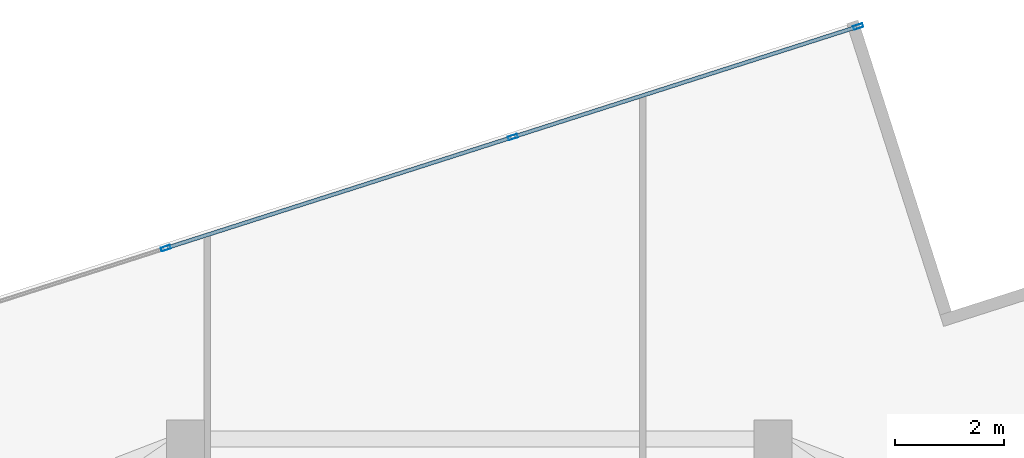
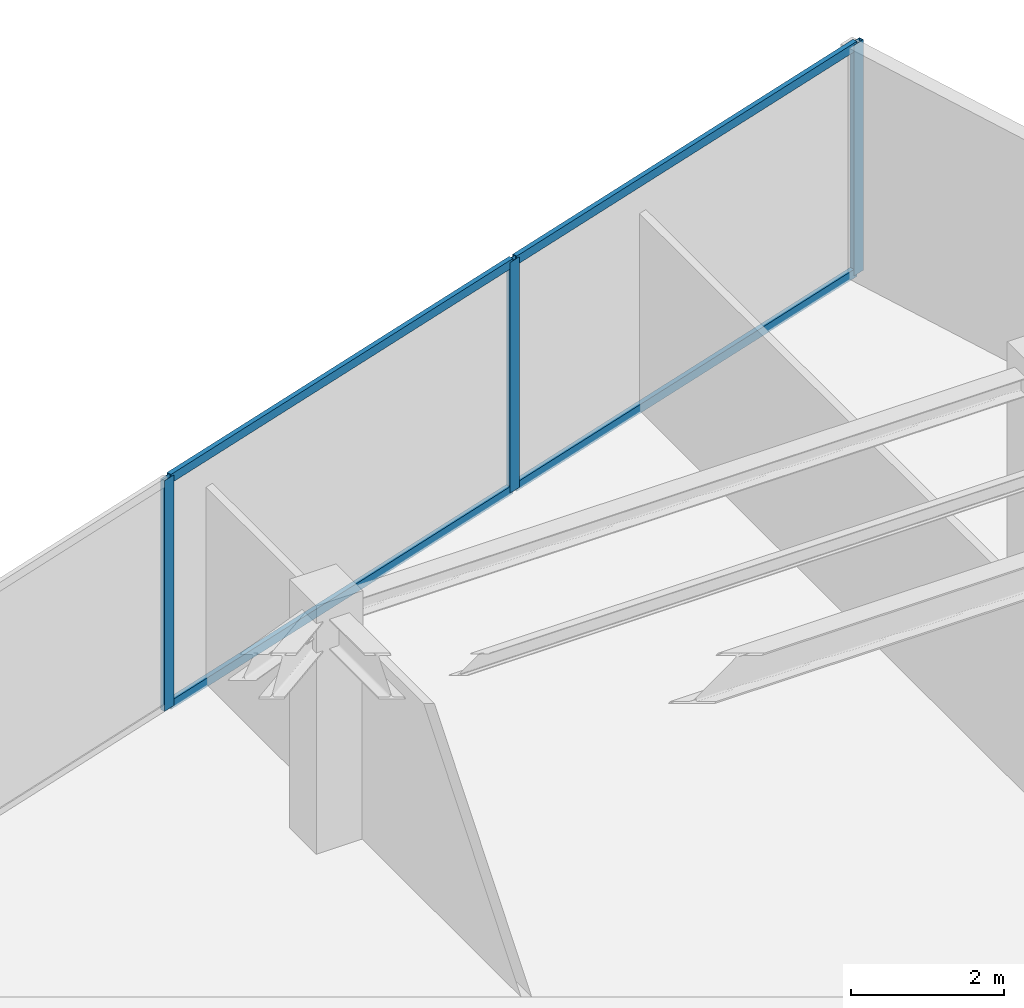
# One storey, part 15 of 21: 7 members, 1 element without a shape of its own.
"""IFC4 building model written with IfcOpenShell, lengths in metres."""

from ifc_helpers import new_model, si_unit, direction, frame, origin, origin_2d, place, context, subcontext, project, spatial, hollow_rectangle, extrude, source, transform, mapped, material, material_profile, profile_set, type_object, type_shapes, element, aggregate, save


model = new_model("IFC4")

# Units and contexts
model_context = context("Model", 3, precision=1e-05, world=origin(), true_north=direction((0.0, 1.0)))
body_context = subcontext(model_context, "Body", "Model", "MODEL_VIEW")
ifc_project = project(units=[si_unit("LENGTHUNIT", "METRE"), si_unit("AREAUNIT", "SQUARE_METRE"), si_unit("VOLUMEUNIT", "CUBIC_METRE"), si_unit("PLANEANGLEUNIT", "RADIAN"), si_unit("MASSUNIT", "GRAM", prefix="KILO")], contexts=[model_context])

# Site, building, storey
site_placement = place(None, origin())
site = spatial("IfcSite", under=ifc_project, at=site_placement, CompositionType="ELEMENT")
building_placement = place(site_placement, origin())
building = spatial("IfcBuilding", under=site, at=building_placement, Name="Krantzveldt Concourse Tower", CompositionType="ELEMENT")
storey_placement = place(building_placement, frame((0.0, 0.0, 339.550048828125)))
storey = spatial("IfcBuildingStorey", under=building, at=storey_placement, Name="L83", CompositionType="ELEMENT", Elevation=339.550048828125)

# Curtain wall, members
ifc_material = material(Name="Anodised aluminium 6063-T6", Category="aluminium")
curtain_wall_type = type_object("IfcCurtainWallType", Name="CW4", PredefinedType="USERDEFINED", material=ifc_material)
curtain_wall_placement = place(storey_placement, origin())
curtain_wall = element("IfcCurtainWall", 1, at=curtain_wall_placement, inside=storey, type_object=curtain_wall_type, Name="CW-L83-F01", ObjectType="UNITISED CURTAIN WALL", PredefinedType="USERDEFINED")
ifc_material_profile_1 = material_profile(ifc_material, hollow_rectangle(XDim=0.070068359375, YDim=0.179931640625, WallThickness=0.0048828125, at=origin_2d()), Name="Anodised aluminium 6063-T6", Category="aluminium")
ifc_profile_set_1 = profile_set([ifc_material_profile_1], Name="Anodised aluminium 6063-T6 - ALU-MULL 180x70x5")
member_type_1 = type_object("IfcMemberType", Name="CW-MUL-180", PredefinedType="MULLION", material=ifc_profile_set_1)
shared_shape_1 = source(origin(), body_context, "Body", "SweptSolid", [
    extrude(hollow_rectangle(XDim=0.070068359375, YDim=0.179931640625, WallThickness=0.0048828125, at=origin_2d()), origin(), (0.0, 0.0, 1.0), 3.669921875),
])
type_shapes(member_type_1, [shared_shape_1])
member_1_placement = place(storey_placement, frame((42.9638671875, 48.784423828125, 0.0), z_axis=(0.0, 0.0, 1.0), x_axis=(0.304864162408, -0.952395843376, 0.0)))
member_1 = element("IfcMember", 2, at=member_1_placement, type_object=member_type_1, Name="CW-Z56 mullion 1", PredefinedType="MULLION", context=body_context, shape_type="MappedRepresentation", body=[
    mapped(shared_shape_1, transform((0.0, 0.0, 0.0), x_axis=(1.0, 0.0, 0.0), y_axis=(0.0, 1.0, 0.0), z_axis=(0.0, 0.0, 1.0), scale=1.0)),
])
member_2_placement = place(storey_placement, frame((36.615966796875, 46.75244140625, 0.0), z_axis=(0.0, 0.0, 1.0), x_axis=(0.304864162408, -0.952395843376, 0.0)))
member_2 = element("IfcMember", 3, at=member_2_placement, type_object=member_type_1, Name="CW-Z56 mullion 2", PredefinedType="MULLION", context=body_context, shape_type="MappedRepresentation", body=[
    mapped(shared_shape_1, transform((0.0, 0.0, 0.0), x_axis=(1.0, 0.0, 0.0), y_axis=(0.0, 1.0, 0.0), z_axis=(0.0, 0.0, 1.0), scale=1.0)),
])
member_3_placement = place(storey_placement, frame((30.235107421875, 44.709716796875, 0.0), z_axis=(0.0, 0.0, 1.0), x_axis=(0.304864162408, -0.952395843376, 0.0)))
member_3 = element("IfcMember", 4, at=member_3_placement, type_object=member_type_1, Name="CW-Z56 mullion 3", PredefinedType="MULLION", context=body_context, shape_type="MappedRepresentation", body=[
    mapped(shared_shape_1, transform((0.0, 0.0, 0.0), x_axis=(1.0, 0.0, 0.0), y_axis=(0.0, 1.0, 0.0), z_axis=(0.0, 0.0, 1.0), scale=1.0)),
])
ifc_material_profile_2 = material_profile(ifc_material, hollow_rectangle(XDim=0.070068359375, YDim=0.139892578125, WallThickness=0.0048828125, at=origin_2d()), Name="Anodised aluminium 6063-T6", Category="aluminium")
ifc_profile_set_2 = profile_set([ifc_material_profile_2], Name="Anodised aluminium 6063-T6 - ALU-TRAN 140x70x5")
member_type_2 = type_object("IfcMemberType", Name="CW-TRN-150", PredefinedType="USERDEFINED", material=ifc_profile_set_2)
shared_shape_2 = source(origin(), body_context, "Body", "SweptSolid", [
    extrude(hollow_rectangle(XDim=0.070068359375, YDim=0.139892578125, WallThickness=0.0048828125, at=origin_2d()), origin(), (0.0, 0.0, 1.0), 6.594970703125),
])
member_4_placement = place(storey_placement, frame((42.930419921875, 48.773681640625, 0.034912109375), z_axis=(-0.952388034894, -0.304888555035, 0.0), x_axis=(0.304888555035, -0.952388034894, 0.0)))
member_4 = element("IfcMember", 5, at=member_4_placement, type_object=member_type_2, Name="CW-Z56 transom 1.1", ObjectType="TRANSOM", PredefinedType="USERDEFINED", context=body_context, shape_type="MappedRepresentation", body=[
    mapped(shared_shape_2, transform((0.0, 0.0, 0.0), x_axis=(1.0, 0.0, 0.0), y_axis=(0.0, 1.0, 0.0), z_axis=(0.0, 0.0, 1.0), scale=1.0)),
])
member_5_placement = place(storey_placement, frame((42.930419921875, 48.773681640625, 3.635009765625), z_axis=(-0.952388034894, -0.304888555035, 0.0), x_axis=(0.304888555035, -0.952388034894, 0.0)))
member_5 = element("IfcMember", 6, at=member_5_placement, type_object=member_type_2, Name="CW-Z56 transom 1.2", ObjectType="TRANSOM", PredefinedType="USERDEFINED", context=body_context, shape_type="MappedRepresentation", body=[
    mapped(shared_shape_2, transform((0.0, 0.0, 0.0), x_axis=(1.0, 0.0, 0.0), y_axis=(0.0, 1.0, 0.0), z_axis=(0.0, 0.0, 1.0), scale=1.0)),
])
shared_shape_3 = source(origin(), body_context, "Body", "SweptSolid", [
    extrude(hollow_rectangle(XDim=0.070068359375, YDim=0.139892578125, WallThickness=0.0048828125, at=origin_2d()), origin(), (0.0, 0.0, 1.0), 6.630126953125),
])
type_shapes(member_type_2, [shared_shape_2, shared_shape_3])
member_6_placement = place(storey_placement, frame((36.582763671875, 46.74169921875, 0.034912109375), z_axis=(-0.95239720744, -0.304859901036, 0.0), x_axis=(0.304859901036, -0.95239720744, 0.0)))
member_6 = element("IfcMember", 7, at=member_6_placement, type_object=member_type_2, Name="CW-Z56 transom 2.1", ObjectType="TRANSOM", PredefinedType="USERDEFINED", context=body_context, shape_type="MappedRepresentation", body=[
    mapped(shared_shape_3, transform((0.0, 0.0, 0.0), x_axis=(1.0, 0.0, 0.0), y_axis=(0.0, 1.0, 0.0), z_axis=(0.0, 0.0, 1.0), scale=1.0)),
])
member_7_placement = place(storey_placement, frame((36.582763671875, 46.74169921875, 3.635009765625), z_axis=(-0.95239720744, -0.304859901036, 0.0), x_axis=(0.304859901036, -0.95239720744, 0.0)))
member_7 = element("IfcMember", 8, at=member_7_placement, type_object=member_type_2, Name="CW-Z56 transom 2.2", ObjectType="TRANSOM", PredefinedType="USERDEFINED", context=body_context, shape_type="MappedRepresentation", body=[
    mapped(shared_shape_3, transform((0.0, 0.0, 0.0), x_axis=(1.0, 0.0, 0.0), y_axis=(0.0, 1.0, 0.0), z_axis=(0.0, 0.0, 1.0), scale=1.0)),
])
aggregate(curtain_wall, [member_1, member_2, member_3, member_4, member_5, member_6, member_7])

save(model, "model.ifc")
